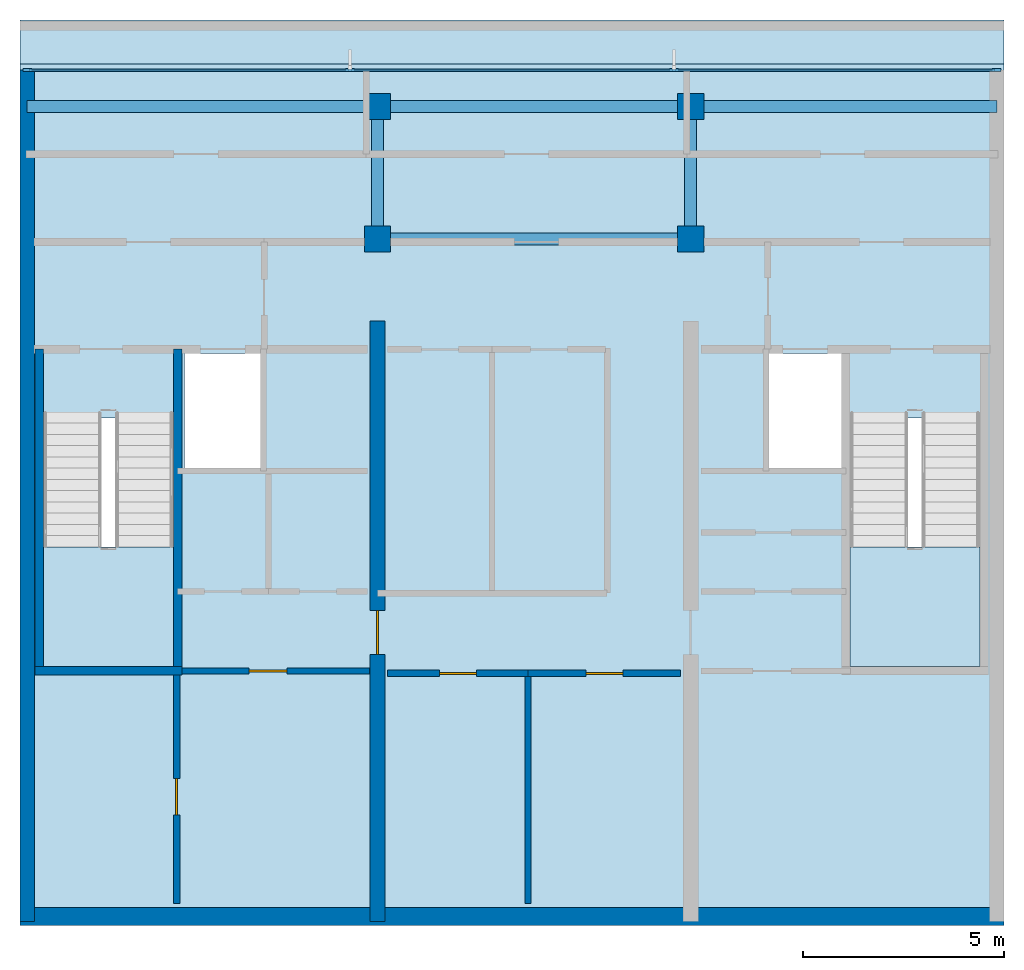
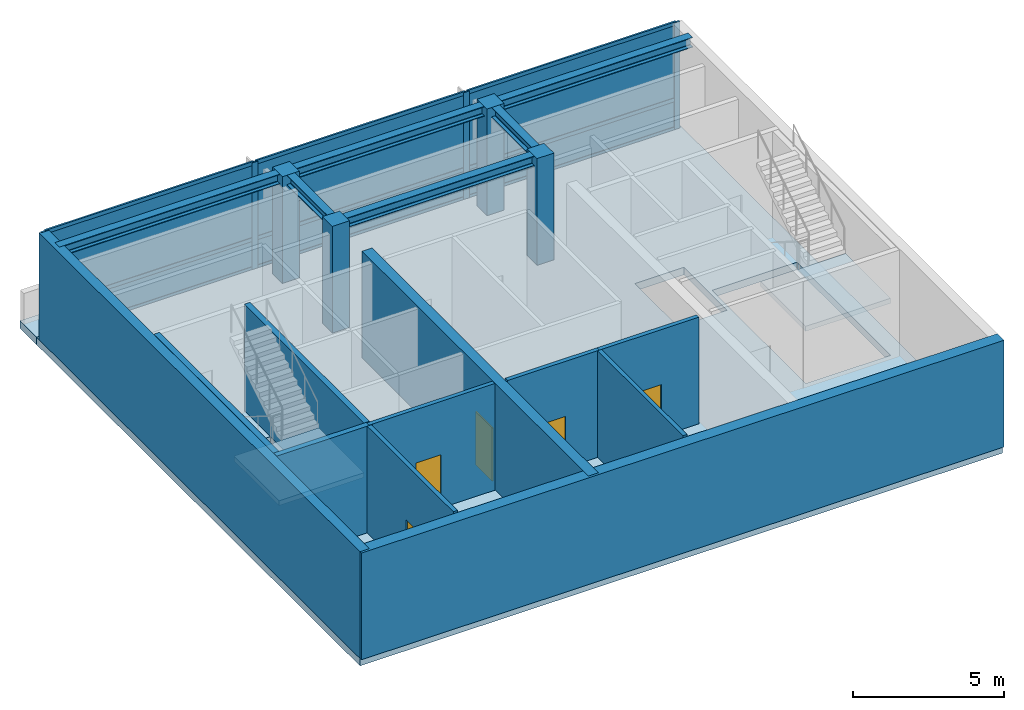
# One storey, part 1 of 4: 13 members, 11 walls, 6 beams, 6 plates, 5 doors, 4 columns, 4 slabs, 5 openings, 3 elements without a shape of their own.
"""IFC4 building model written with IfcOpenShell, lengths in metres."""

from ifc_helpers import new_model, si_unit, direction, frame, frame_2d, origin, origin_2d, place, context, subcontext, project, spatial, polyline, rectangle, i_section, outline, extrude, material, layer, layer_set, material_profile, profile_set, type_object, element, fill, aggregate, save


model = new_model("IFC4")

# Units and contexts
model_context = context("Model", 3, precision=1e-05, world=origin(), true_north=direction((0.0, 1.0)))
body_context = subcontext(model_context, "Body", "Model", "MODEL_VIEW")
ifc_project = project(units=[si_unit("LENGTHUNIT", "METRE"), si_unit("AREAUNIT", "SQUARE_METRE"), si_unit("VOLUMEUNIT", "CUBIC_METRE"), si_unit("PLANEANGLEUNIT", "RADIAN"), si_unit("MASSUNIT", "GRAM", prefix="KILO")], contexts=[model_context])

# Site, building, storey
site_placement = place(None, origin())
site = spatial("IfcSite", under=ifc_project, at=site_placement, CompositionType="ELEMENT")
building_placement = place(site_placement, origin())
building = spatial("IfcBuilding", under=site, at=building_placement, Name="Qalmaran Belvedere Hotel", CompositionType="ELEMENT")
storey_placement = place(building_placement, frame((0.0, 0.0, 312.5)))
storey = spatial("IfcBuildingStorey", under=building, at=storey_placement, Name="C04", CompositionType="ELEMENT", Elevation=312.5)

# Columns
ifc_material_1 = material(Name="Concrete C50/60", Category="concrete")
ifc_material_profile_1 = material_profile(ifc_material_1, rectangle(XDim=0.64990234375, YDim=0.64990234375, at=origin_2d()), Name="CC650X650")
ifc_profile_set_1 = profile_set([ifc_material_profile_1], Name="Concrete C50/60")
column_type = type_object("IfcColumnType", Name="COL-CRN-CC650", PredefinedType="COLUMN", material=ifc_profile_set_1)
for number, where, z_axis, x_axis, name in (
    (1, (29.199951171875, 20.5, -0.300048828125), (0.0, 0.0, 1.0), (1.0, 0.0, 0.0), "C04 Column C5D"),
    (2, (37.0, 20.5, -0.300048828125), (0.0, 0.0, 1.0), (1.0, 0.0, 0.0), "C04 Column C6D"),
    (3, (29.199951171875, 23.800048828125, -0.300048828125), (0.0, 0.0, 1.0), (1.0, 0.0, 0.0), "C04 Column CN2"),
    (4, (37.0, 23.800048828125, -0.300048828125), (0.0, 0.0, 1.0), (1.0, 0.0, 0.0), "C04 Column CN3"),
):
    element("IfcColumn", number, at=place(storey_placement, frame(where, z_axis=z_axis, x_axis=x_axis)), inside=storey, type_object=column_type, Name=name, PredefinedType="COLUMN", context=body_context, shape_type="SweptSolid", body=[
        extrude(rectangle(XDim=0.64990234375, YDim=0.64990234375, at=origin_2d()), origin(), (0.0, 0.0, 1.0), 4.60009765625),
    ])

# Beams
ifc_material_2 = material(Name="Steel S355JR", Category="steel")
ifc_material_profile_2 = material_profile(ifc_material_2, i_section(OverallWidth=0.300048828125, OverallDepth=0.39990234375, WebThickness=0.013427734375, FlangeThickness=0.02392578125, FilletRadius=0.027099609375, at=origin_2d()), Name="HEB400")
ifc_profile_set_2 = profile_set([ifc_material_profile_2], Name="Steel S355JR")
beam_type = type_object("IfcBeamType", Name="BM-CRN-HEB400", PredefinedType="BEAM", material=ifc_profile_set_2)
beam_1_placement = place(storey_placement, frame((29.199951171875, 20.5, 4.10009765625), z_axis=(1.0, 0.0, 0.0), x_axis=(0.0, 1.0, 0.0)))
element("IfcBeam", 5, at=beam_1_placement, inside=storey, type_object=beam_type, Name="C04 Crown Frame Beam X01", PredefinedType="BEAM", context=body_context, shape_type="SweptSolid", body=[
    extrude(i_section(OverallWidth=0.300048828125, OverallDepth=0.39990234375, WebThickness=0.013427734375, FlangeThickness=0.02392578125, FilletRadius=0.027099609375, at=origin_2d()), origin(), (0.0, 0.0, 1.0), 7.800048828125),
])
beam_2_placement = place(storey_placement, frame((20.47998046875, 23.800048828125, 4.10009765625), z_axis=(1.0, 0.0, 0.0), x_axis=(0.0, 1.0, 0.0)))
element("IfcBeam", 6, at=beam_2_placement, inside=storey, type_object=beam_type, Name="C04 Crown Frame Beam X02", PredefinedType="BEAM", context=body_context, shape_type="SweptSolid", body=[
    extrude(i_section(OverallWidth=0.300048828125, OverallDepth=0.39990234375, WebThickness=0.013427734375, FlangeThickness=0.02392578125, FilletRadius=0.027099609375, at=origin_2d()), origin(), (0.0, 0.0, 1.0), 8.719970703125),
])
beam_3_placement = place(storey_placement, frame((29.199951171875, 23.800048828125, 4.10009765625), z_axis=(1.0, 0.0, 0.0), x_axis=(0.0, 1.0, 0.0)))
element("IfcBeam", 7, at=beam_3_placement, inside=storey, type_object=beam_type, Name="C04 Crown Frame Beam X03", PredefinedType="BEAM", context=body_context, shape_type="SweptSolid", body=[
    extrude(i_section(OverallWidth=0.300048828125, OverallDepth=0.39990234375, WebThickness=0.013427734375, FlangeThickness=0.02392578125, FilletRadius=0.027099609375, at=origin_2d()), origin(), (0.0, 0.0, 1.0), 7.800048828125),
])
beam_4_placement = place(storey_placement, frame((37.0, 23.800048828125, 4.10009765625), z_axis=(1.0, 0.0, 0.0), x_axis=(0.0, 1.0, 0.0)))
element("IfcBeam", 8, at=beam_4_placement, inside=storey, type_object=beam_type, Name="C04 Crown Frame Beam X04", PredefinedType="BEAM", context=body_context, shape_type="SweptSolid", body=[
    extrude(i_section(OverallWidth=0.300048828125, OverallDepth=0.39990234375, WebThickness=0.013427734375, FlangeThickness=0.02392578125, FilletRadius=0.027099609375, at=origin_2d()), origin(), (0.0, 0.0, 1.0), 7.6201171875),
])
for number, where, z_axis, x_axis, name in (
    (9, (29.199951171875, 20.5, 4.10009765625), (0.0, 1.0, 0.0), (-1.0, 0.0, 0.0), "C04 Crown Frame Beam Y05"),
    (10, (37.0, 20.5, 4.10009765625), (0.0, 1.0, 0.0), (-1.0, 0.0, 0.0), "C04 Crown Frame Beam Y06"),
):
    element("IfcBeam", number, at=place(storey_placement, frame(where, z_axis=z_axis, x_axis=x_axis)), inside=storey, type_object=beam_type, Name=name, PredefinedType="BEAM", context=body_context, shape_type="SweptSolid", body=[
        extrude(i_section(OverallWidth=0.300048828125, OverallDepth=0.39990234375, WebThickness=0.013427734375, FlangeThickness=0.02392578125, FilletRadius=0.027099609375, at=origin_2d()), origin(), (0.0, 0.0, 1.0), 3.300048828125),
    ])

# Curtain wall, members, plates
ifc_material_3 = material(Name="Anodised Bronze Aluminium", Category="aluminium")
ifc_layer_1 = layer(ifc_material_3, 0.205078125, Name="Anodised Bronze Aluminium")
ifc_layer_set_1 = layer_set([ifc_layer_1], Name="Anodised Bronze Aluminium")
curtain_wall_type = type_object("IfcCurtainWallType", Name="CW7-CROWN-BELVEDERE", PredefinedType="NOTDEFINED", material=ifc_layer_set_1)
curtain_wall_placement = place(storey_placement, origin())
curtain_wall = element("IfcCurtainWall", 11, at=curtain_wall_placement, inside=storey, type_object=curtain_wall_type, Name="C04 Curtain Wall CW7", PredefinedType="NOTDEFINED")
ifc_material_profile_3 = material_profile(ifc_material_3, rectangle(XDim=0.074951171875, YDim=0.219970703125, at=origin_2d()), Name="CWM75X220")
ifc_profile_set_3 = profile_set([ifc_material_profile_3], Name="Anodised Bronze Aluminium")
member_type_1 = type_object("IfcMemberType", Name="CWM-75X220", PredefinedType="MULLION", material=ifc_profile_set_3)
member_1_placement = place(storey_placement, frame((44.612548828125, 24.699951171875, 0.0), z_axis=(0.0, 0.0, 1.0), x_axis=(0.0, -1.0, 0.0)))
member_1 = element("IfcMember", 12, at=member_1_placement, type_object=member_type_1, Name="CW7 mullion 1", PredefinedType="MULLION", context=body_context, shape_type="SweptSolid", body=[
    extrude(rectangle(XDim=0.074951171875, YDim=0.219970703125, at=origin_2d()), origin(), (0.0, 0.0, 1.0), 4.300048828125),
])
member_2_placement = place(storey_placement, frame((36.583251953125, 24.699951171875, 0.0), z_axis=(0.0, 0.0, 1.0), x_axis=(0.0, -1.0, 0.0)))
member_2 = element("IfcMember", 13, at=member_2_placement, type_object=member_type_1, Name="CW7 mullion 2", PredefinedType="MULLION", context=body_context, shape_type="SweptSolid", body=[
    extrude(rectangle(XDim=0.074951171875, YDim=0.219970703125, at=origin_2d()), origin(), (0.0, 0.0, 1.0), 4.300048828125),
])
member_3_placement = place(storey_placement, frame((28.5166015625, 24.699951171875, 0.0), z_axis=(0.0, 0.0, 1.0), x_axis=(0.0, -1.0, 0.0)))
member_3 = element("IfcMember", 14, at=member_3_placement, type_object=member_type_1, Name="CW7 mullion 3", PredefinedType="MULLION", context=body_context, shape_type="SweptSolid", body=[
    extrude(rectangle(XDim=0.074951171875, YDim=0.219970703125, at=origin_2d()), origin(), (0.0, 0.0, 1.0), 4.300048828125),
])
member_4_placement = place(storey_placement, frame((20.487548828125, 24.699951171875, 0.0), z_axis=(0.0, 0.0, 1.0), x_axis=(0.0, -1.0, 0.0)))
member_4 = element("IfcMember", 15, at=member_4_placement, type_object=member_type_1, Name="CW7 mullion 4", PredefinedType="MULLION", context=body_context, shape_type="SweptSolid", body=[
    extrude(rectangle(XDim=0.074951171875, YDim=0.219970703125, at=origin_2d()), origin(), (0.0, 0.0, 1.0), 4.300048828125),
])
ifc_material_profile_4 = material_profile(ifc_material_3, rectangle(XDim=0.070068359375, YDim=0.14990234375, at=origin_2d()), Name="CWT70X150")
ifc_profile_set_4 = profile_set([ifc_material_profile_4], Name="Anodised Bronze Aluminium")
member_type_2 = type_object("IfcMemberType", Name="CWT-70X150", PredefinedType="USERDEFINED", material=ifc_profile_set_4)
member_5_placement = place(storey_placement, frame((44.574951171875, 24.699951171875, 0.034912109375), z_axis=(-1.0, 0.0, 0.0), x_axis=(0.0, -1.0, 0.0)))
member_5 = element("IfcMember", 16, at=member_5_placement, type_object=member_type_2, Name="CW7 transom 1.1", ObjectType="TRANSOM", PredefinedType="USERDEFINED", context=body_context, shape_type="SweptSolid", body=[
    extrude(rectangle(XDim=0.070068359375, YDim=0.14990234375, at=origin_2d()), origin(), (0.0, 0.0, 1.0), 7.9541015625),
])
member_6_placement = place(storey_placement, frame((44.574951171875, 24.699951171875, 1.2041015625), z_axis=(-1.0, 0.0, 0.0), x_axis=(0.0, -1.0, 0.0)))
member_6 = element("IfcMember", 17, at=member_6_placement, type_object=member_type_2, Name="CW7 transom 1.2", ObjectType="TRANSOM", PredefinedType="USERDEFINED", context=body_context, shape_type="SweptSolid", body=[
    extrude(rectangle(XDim=0.070068359375, YDim=0.14990234375, at=origin_2d()), origin(), (0.0, 0.0, 1.0), 7.9541015625),
])
member_7_placement = place(storey_placement, frame((44.574951171875, 24.699951171875, 4.264892578125), z_axis=(-1.0, 0.0, 0.0), x_axis=(0.0, -1.0, 0.0)))
member_7 = element("IfcMember", 18, at=member_7_placement, type_object=member_type_2, Name="CW7 transom 1.3", ObjectType="TRANSOM", PredefinedType="USERDEFINED", context=body_context, shape_type="SweptSolid", body=[
    extrude(rectangle(XDim=0.070068359375, YDim=0.14990234375, at=origin_2d()), origin(), (0.0, 0.0, 1.0), 7.9541015625),
])
member_8_placement = place(storey_placement, frame((36.5458984375, 24.699951171875, 0.034912109375), z_axis=(-1.0, 0.0, 0.0), x_axis=(0.0, -1.0, 0.0)))
member_8 = element("IfcMember", 19, at=member_8_placement, type_object=member_type_2, Name="CW7 transom 2.1", ObjectType="TRANSOM", PredefinedType="USERDEFINED", context=body_context, shape_type="SweptSolid", body=[
    extrude(rectangle(XDim=0.070068359375, YDim=0.14990234375, at=origin_2d()), origin(), (0.0, 0.0, 1.0), 7.99169921875),
])
member_9_placement = place(storey_placement, frame((36.5458984375, 24.699951171875, 1.2041015625), z_axis=(-1.0, 0.0, 0.0), x_axis=(0.0, -1.0, 0.0)))
member_9 = element("IfcMember", 20, at=member_9_placement, type_object=member_type_2, Name="CW7 transom 2.2", ObjectType="TRANSOM", PredefinedType="USERDEFINED", context=body_context, shape_type="SweptSolid", body=[
    extrude(rectangle(XDim=0.070068359375, YDim=0.14990234375, at=origin_2d()), origin(), (0.0, 0.0, 1.0), 7.99169921875),
])
member_10_placement = place(storey_placement, frame((36.5458984375, 24.699951171875, 4.264892578125), z_axis=(-1.0, 0.0, 0.0), x_axis=(0.0, -1.0, 0.0)))
member_10 = element("IfcMember", 21, at=member_10_placement, type_object=member_type_2, Name="CW7 transom 2.3", ObjectType="TRANSOM", PredefinedType="USERDEFINED", context=body_context, shape_type="SweptSolid", body=[
    extrude(rectangle(XDim=0.070068359375, YDim=0.14990234375, at=origin_2d()), origin(), (0.0, 0.0, 1.0), 7.99169921875),
])
member_11_placement = place(storey_placement, frame((28.479248046875, 24.699951171875, 0.034912109375), z_axis=(-1.0, 0.0, 0.0), x_axis=(0.0, -1.0, 0.0)))
member_11 = element("IfcMember", 22, at=member_11_placement, type_object=member_type_2, Name="CW7 transom 3.1", ObjectType="TRANSOM", PredefinedType="USERDEFINED", context=body_context, shape_type="SweptSolid", body=[
    extrude(rectangle(XDim=0.070068359375, YDim=0.14990234375, at=origin_2d()), origin(), (0.0, 0.0, 1.0), 7.954345703125),
])
member_12_placement = place(storey_placement, frame((28.479248046875, 24.699951171875, 1.2041015625), z_axis=(-1.0, 0.0, 0.0), x_axis=(0.0, -1.0, 0.0)))
member_12 = element("IfcMember", 23, at=member_12_placement, type_object=member_type_2, Name="CW7 transom 3.2", ObjectType="TRANSOM", PredefinedType="USERDEFINED", context=body_context, shape_type="SweptSolid", body=[
    extrude(rectangle(XDim=0.070068359375, YDim=0.14990234375, at=origin_2d()), origin(), (0.0, 0.0, 1.0), 7.954345703125),
])
member_13_placement = place(storey_placement, frame((28.479248046875, 24.699951171875, 4.264892578125), z_axis=(-1.0, 0.0, 0.0), x_axis=(0.0, -1.0, 0.0)))
member_13 = element("IfcMember", 24, at=member_13_placement, type_object=member_type_2, Name="CW7 transom 3.3", ObjectType="TRANSOM", PredefinedType="USERDEFINED", context=body_context, shape_type="SweptSolid", body=[
    extrude(rectangle(XDim=0.070068359375, YDim=0.14990234375, at=origin_2d()), origin(), (0.0, 0.0, 1.0), 7.954345703125),
])
ifc_material_4 = material(Name="Anodised Bronze Spandrel Panel")
ifc_layer_2 = layer(ifc_material_4, 0.035888671875, Name="Anodised Bronze Spandrel Panel")
ifc_layer_set_2 = layer_set([ifc_layer_2], Name="Anodised Bronze Spandrel Panel")
plate_type_1 = type_object("IfcPlateType", Name="CWP-SPANDREL-36", PredefinedType="CURTAIN_PANEL", material=ifc_layer_set_2)
plate_1_placement = place(storey_placement, frame((40.597900390625, 24.699951171875, 0.06982421875), z_axis=(0.0, 0.0, 1.0), x_axis=(-1.0, 0.0, 0.0)))
plate_1 = element("IfcPlate", 25, at=plate_1_placement, type_object=plate_type_1, Name="CW7 panel 1.1", PredefinedType="CURTAIN_PANEL", context=body_context, shape_type="SweptSolid", body=[
    extrude(rectangle(XDim=7.9541015625, YDim=0.035888671875, at=origin_2d()), origin(), (0.0, 0.0, 1.0), 1.09912109375),
])
plate_2_placement = place(storey_placement, frame((32.550048828125, 24.699951171875, 0.06982421875), z_axis=(0.0, 0.0, 1.0), x_axis=(-1.0, 0.0, 0.0)))
plate_2 = element("IfcPlate", 26, at=plate_2_placement, type_object=plate_type_1, Name="CW7 panel 2.1", PredefinedType="CURTAIN_PANEL", context=body_context, shape_type="SweptSolid", body=[
    extrude(rectangle(XDim=7.99169921875, YDim=0.035888671875, at=origin_2d()), origin(), (0.0, 0.0, 1.0), 1.09912109375),
])
plate_3_placement = place(storey_placement, frame((24.502197265625, 24.699951171875, 0.06982421875), z_axis=(0.0, 0.0, 1.0), x_axis=(-1.0, 0.0, 0.0)))
plate_3 = element("IfcPlate", 27, at=plate_3_placement, type_object=plate_type_1, Name="CW7 panel 3.1", PredefinedType="CURTAIN_PANEL", context=body_context, shape_type="SweptSolid", body=[
    extrude(rectangle(XDim=7.9541015625, YDim=0.035888671875, at=origin_2d()), origin(), (0.0, 0.0, 1.0), 1.09912109375),
])
ifc_material_5 = material(Name="Solar-Control Double Glazing", Category="glass")
ifc_layer_3 = layer(ifc_material_5, 0.028076171875, Name="Solar-Control Double Glazing")
ifc_layer_set_3 = layer_set([ifc_layer_3], Name="Solar-Control Double Glazing")
plate_type_2 = type_object("IfcPlateType", Name="CWP-VISION-28", PredefinedType="CURTAIN_PANEL", material=ifc_layer_set_3)
plate_4_placement = place(storey_placement, frame((40.597900390625, 24.699951171875, 1.2392578125), z_axis=(0.0, 0.0, 1.0), x_axis=(-1.0, 0.0, 0.0)))
plate_4 = element("IfcPlate", 28, at=plate_4_placement, type_object=plate_type_2, Name="CW7 panel 1.2", PredefinedType="CURTAIN_PANEL", context=body_context, shape_type="SweptSolid", body=[
    extrude(rectangle(XDim=7.9541015625, YDim=0.028076171875, at=origin_2d()), origin(), (0.0, 0.0, 1.0), 2.990966796875),
])
plate_5_placement = place(storey_placement, frame((32.550048828125, 24.699951171875, 1.2392578125), z_axis=(0.0, 0.0, 1.0), x_axis=(-1.0, 0.0, 0.0)))
plate_5 = element("IfcPlate", 29, at=plate_5_placement, type_object=plate_type_2, Name="CW7 panel 2.2", PredefinedType="CURTAIN_PANEL", context=body_context, shape_type="SweptSolid", body=[
    extrude(rectangle(XDim=7.99169921875, YDim=0.028076171875, at=origin_2d()), origin(), (0.0, 0.0, 1.0), 2.990966796875),
])
plate_6_placement = place(storey_placement, frame((24.502197265625, 24.699951171875, 1.2392578125), z_axis=(0.0, 0.0, 1.0), x_axis=(-1.0, 0.0, 0.0)))
plate_6 = element("IfcPlate", 30, at=plate_6_placement, type_object=plate_type_2, Name="CW7 panel 3.2", PredefinedType="CURTAIN_PANEL", context=body_context, shape_type="SweptSolid", body=[
    extrude(rectangle(XDim=7.9541015625, YDim=0.028076171875, at=origin_2d()), origin(), (0.0, 0.0, 1.0), 2.990966796875),
])
aggregate(curtain_wall, [member_1, member_2, member_3, member_4, member_5, member_6, member_7, plate_1, plate_4, member_8, member_9, member_10, plate_2, plate_5, member_11, member_12, member_13, plate_3, plate_6])

# Slabs
ifc_material_6 = material(Name="Concrete C40/50", Category="concrete")
ifc_layer_4 = layer(ifc_material_6, 0.300048828125, Name="Concrete C40/50")
ifc_layer_set_4 = layer_set([ifc_layer_4], Name="Concrete C40/50")
slab_type_1 = type_object("IfcSlabType", Name="SLB-CRN-300", PredefinedType="FLOOR", material=ifc_layer_set_4)
slab_1_placement = place(storey_placement, frame((0.0, 0.0, -0.300048828125)))
element("IfcSlab", 31, at=slab_1_placement, inside=storey, type_object=slab_type_1, Name="C04 Structural Floor Slab", PredefinedType="FLOOR", context=body_context, shape_type="SweptSolid", body=[
    extrude(outline(polyline([(20.300048828125, 3.5), (44.800048828125, 3.5), (44.800048828125, 24.85009765625), (20.300048828125, 24.85009765625), (20.300048828125, 3.5)]), holes=[polyline([(20.8798828125, 9.85009765625), (24.1201171875, 9.85009765625), (24.1201171875, 16.0400390625), (20.8798828125, 16.0400390625), (20.8798828125, 9.85009765625)]), polyline([(40.9599609375, 9.85009765625), (44.199951171875, 9.85009765625), (44.199951171875, 16.0400390625), (40.9599609375, 16.0400390625), (40.9599609375, 9.85009765625)]), polyline([(24.39990234375, 14.800048828125), (26.300048828125, 14.800048828125), (26.300048828125, 17.64990234375), (24.39990234375, 17.64990234375), (24.39990234375, 14.800048828125)]), polyline([(38.949951171875, 14.800048828125), (40.820068359375, 14.800048828125), (40.820068359375, 17.64990234375), (38.949951171875, 17.64990234375), (38.949951171875, 14.800048828125)])]), origin(), (0.0, 0.0, 1.0), 0.300048828125),
])
ifc_layer_5 = layer(ifc_material_6, 0.300048828125, Name="Concrete C40/50")
ifc_layer_set_5 = layer_set([ifc_layer_5], Name="Concrete C40/50")
slab_type_2 = type_object("IfcSlabType", Name="SLB-CROOF-310", PredefinedType="ROOF", material=ifc_layer_set_5)
slab_2_placement = place(storey_placement, frame((0.0, 0.0, -0.300048828125)))
element("IfcSlab", 32, at=slab_2_placement, inside=storey, type_object=slab_type_2, Name="C04 Stepped Roof Cap 1", PredefinedType="ROOF", context=body_context, shape_type="SweptSolid", body=[
    extrude(outline(polyline([(20.300048828125, 25.949951171875), (44.800048828125, 25.949951171875), (44.800048828125, 24.85009765625), (20.300048828125, 24.85009765625), (20.300048828125, 25.949951171875)])), origin(), (0.0, 0.0, 1.0), 0.300048828125),
])

# Stair, slab
stair_type_1 = type_object("IfcStairType", Name="STR-ST-1-1450-R1769", PredefinedType="HALF_TURN_STAIR", material=ifc_material_6)
stair_1_placement = place(storey_placement, origin())
stair_1 = element("IfcStair", 33, at=stair_1_placement, inside=storey, type_object=stair_type_1, Name="C04 West Core Exit Stair ST-1", PredefinedType="HALF_TURN_STAIR")
ifc_layer_6 = layer(ifc_material_6, 0.199951171875, Name="Concrete C40/50")
ifc_layer_set_6 = layer_set([ifc_layer_6], Name="Concrete C40/50")
slab_type_3 = type_object("IfcSlabType", Name="SLB-STAIR-LANDING-200", PredefinedType="LANDING", material=ifc_layer_set_6)
slab_3_placement = place(storey_placement, frame((0.0, 0.0, 2.10009765625)))
slab_3 = element("IfcSlab", 34, at=slab_3_placement, type_object=slab_type_3, Name="ST-1 landing 1", PredefinedType="LANDING", context=body_context, shape_type="SweptSolid", body=[
    extrude(outline(polyline([(20.8798828125, 12.830078125), (20.8798828125, 9.85009765625), (24.1201171875, 9.85009765625), (24.1201171875, 12.830078125), (20.8798828125, 12.830078125)])), origin(), (0.0, 0.0, 1.0), 0.199951171875),
])
aggregate(stair_1, [slab_3])

stair_type_2 = type_object("IfcStairType", Name="STR-ST-2-1450-R1769", PredefinedType="HALF_TURN_STAIR", material=ifc_material_6)
stair_2_placement = place(storey_placement, origin())
stair_2 = element("IfcStair", 35, at=stair_2_placement, inside=storey, type_object=stair_type_2, Name="C04 East Core Exit Stair ST-2", PredefinedType="HALF_TURN_STAIR")
slab_4_placement = place(storey_placement, frame((0.0, 0.0, 2.10009765625)))
slab_4 = element("IfcSlab", 36, at=slab_4_placement, type_object=slab_type_3, Name="ST-2 landing 1", PredefinedType="LANDING", context=body_context, shape_type="SweptSolid", body=[
    extrude(outline(polyline([(40.9599609375, 12.830078125), (40.9599609375, 9.85009765625), (44.199951171875, 9.85009765625), (44.199951171875, 12.830078125), (40.9599609375, 12.830078125)])), origin(), (0.0, 0.0, 1.0), 0.199951171875),
])
aggregate(stair_2, [slab_4])

# Wall, opening, door
ifc_layer_7 = layer(ifc_material_1, 0.3798828125, Name="Concrete C50/60")
ifc_layer_set_7 = layer_set([ifc_layer_7], Name="Concrete C50/60")
wall_type_1 = type_object("IfcWallType", Name="WL-CORE-380-C50", PredefinedType="SHEAR", material=ifc_layer_set_7)
wall_1_placement = place(storey_placement, frame((29.199951171875, 3.5, 0.0), z_axis=(0.0, 0.0, 1.0), x_axis=(0.0, 1.0, 0.0)))
wall_1 = element("IfcWall", 37, at=wall_1_placement, inside=storey, type_object=wall_type_1, Name="C04 Core West Spine Shear Wall", PredefinedType="SHEAR", context=body_context, shape_type="SweptSolid", body=[
    extrude(rectangle(XDim=14.949951171875, YDim=0.3798828125, at=frame_2d((7.47509765625, 0.0))), origin(), (0.0, 0.0, 1.0), 4.300048828125),
])
opening_1_placement = place(wall_1_placement, frame((7.75, 0.0, 0.0), z_axis=(0.0, 0.0, 1.0), x_axis=(-1.0, 0.0, 0.0)))
opening_1 = element("IfcOpeningElement", 38, at=opening_1_placement, cuts=wall_1, Name="Opening FD90", PredefinedType="OPENING", context=body_context, shape_type="SweptSolid", body=[
    extrude(rectangle(XDim=1.10009765625, YDim=2.14990234375, at=frame_2d((0.550048828125, 1.074951171875))), frame((0.0, 0.199951171875, 0.0), z_axis=(0.0, -1.0, 0.0), x_axis=(1.0, 0.0, 0.0)), (0.0, 0.0, 1.0), 0.39990234375),
])
door_type_1 = type_object("IfcDoorType", Name="DR-FD90-1100X2150", OperationType="NOTDEFINED", PredefinedType="DOOR", material=ifc_material_2)
door_1_placement = place(opening_1_placement, origin())
door_1 = element("IfcDoor", 39, at=door_1_placement, inside=storey, type_object=door_type_1, Name="C04 Core West Cross-Lobby Door", OperationType="SINGLE_SWING_RIGHT", OverallHeight=2.14990234375, OverallWidth=1.10009765625, PredefinedType="DOOR", context=body_context, shape_type="SweptSolid", body=[
    extrude(rectangle(XDim=1.10009765625, YDim=2.14990234375, at=frame_2d((0.550048828125, 1.074951171875))), frame((0.0, 0.02490234375, 0.0), z_axis=(0.0, -1.0, 0.0), x_axis=(1.0, 0.0, 0.0)), (0.0, 0.0, 1.0), 0.050048828125),
])
fill(opening_1, door_1)

# Walls
ifc_layer_8 = layer(ifc_material_1, 0.43994140625, Name="Concrete C50/60")
ifc_layer_set_8 = layer_set([ifc_layer_8], Name="Concrete C50/60")
wall_type_2 = type_object("IfcWallType", Name="WL-CORES-440-EXT", PredefinedType="SHEAR", material=ifc_layer_set_8)
wall_2_placement = place(storey_placement, frame((20.300048828125, 3.6298828125, 0.0), z_axis=(0.0, 0.0, 1.0), x_axis=(1.0, 0.0, 0.0)))
element("IfcWall", 40, at=wall_2_placement, inside=storey, type_object=wall_type_2, Name="C04 South Core Shear Wall", PredefinedType="SHEAR", context=body_context, shape_type="SweptSolid", body=[
    extrude(rectangle(XDim=24.5, YDim=0.43994140625, at=frame_2d((12.25, 0.0))), origin(), (0.0, 0.0, 1.0), 4.300048828125),
])
ifc_layer_9 = layer(ifc_material_1, 0.360107421875, Name="Concrete C50/60")
ifc_layer_set_9 = layer_set([ifc_layer_9], Name="Concrete C50/60")
wall_type_3 = type_object("IfcWallType", Name="WL-COREWE-360-EXT", PredefinedType="SHEAR", material=ifc_layer_set_9)
wall_3_placement = place(storey_placement, frame((20.47998046875, 3.5, 0.0), z_axis=(0.0, 0.0, 1.0), x_axis=(0.0, 1.0, 0.0)))
element("IfcWall", 41, at=wall_3_placement, inside=storey, type_object=wall_type_3, Name="C04 West Core Shear Wall", PredefinedType="SHEAR", context=body_context, shape_type="SweptSolid", body=[
    extrude(rectangle(XDim=21.199951171875, YDim=0.360107421875, at=frame_2d((10.60009765625, 0.0))), origin(), (0.0, 0.0, 1.0), 4.300048828125),
])
ifc_material_7 = material(Name="Gypsum Stud Partition")
ifc_layer_10 = layer(ifc_material_7, 0.14990234375, Name="Gypsum Stud Partition")
ifc_layer_set_10 = layer_set([ifc_layer_10], Name="Gypsum Stud Partition")
wall_type_4 = type_object("IfcWallType", Name="WL-INT-150-EI60", PredefinedType="PARTITIONING", material=ifc_layer_set_10)
wall_4_placement = place(storey_placement, frame((32.9541015625, 3.949951171875, 0.0), z_axis=(0.0, 0.0, 1.0), x_axis=(0.0, 1.0, 0.0)))
element("IfcWall", 42, at=wall_4_placement, inside=storey, type_object=wall_type_4, Name="C04 Partition WL-C04-KPLV1", PredefinedType="PARTITIONING", context=body_context, shape_type="SweptSolid", body=[
    extrude(rectangle(XDim=5.72998046875, YDim=0.14990234375, at=frame_2d((2.864990234375, 0.0))), origin(), (0.0, 0.0, 1.0), 4.300048828125),
])

# Wall, opening, door
ifc_layer_11 = layer(ifc_material_7, 0.159912109375, Name="Gypsum Stud Partition")
ifc_layer_set_11 = layer_set([ifc_layer_11], Name="Gypsum Stud Partition")
wall_type_5 = type_object("IfcWallType", Name="WL-INT-160-EI120", PredefinedType="PARTITIONING", material=ifc_layer_set_11)
wall_5_placement = place(storey_placement, frame((24.199951171875, 3.949951171875, 0.0), z_axis=(0.0, 0.0, 1.0), x_axis=(0.0, 1.0, 0.0)))
wall_5 = element("IfcWall", 43, at=wall_5_placement, inside=storey, type_object=wall_type_5, Name="C04 Partition WL-PONV-C04", PredefinedType="PARTITIONING", context=body_context, shape_type="SweptSolid", body=[
    extrude(rectangle(XDim=5.7900390625, YDim=0.159912109375, at=frame_2d((2.89501953125, 0.0))), origin(), (0.0, 0.0, 1.0), 4.300048828125),
])
opening_2_placement = place(wall_5_placement, frame((2.199951171875, 0.0, 0.0)))
opening_2 = element("IfcOpeningElement", 44, at=opening_2_placement, cuts=wall_5, Name="Opening FD60S1", PredefinedType="OPENING", context=body_context, shape_type="SweptSolid", body=[
    extrude(rectangle(XDim=0.919921875, YDim=2.080078125, at=frame_2d((0.4599609375, 1.0400390625))), frame((0.0, 0.08984375, 0.0), z_axis=(0.0, -1.0, 0.0), x_axis=(1.0, 0.0, 0.0)), (0.0, 0.0, 1.0), 0.179931640625),
])
ifc_material_8 = material(Name="Engineered Oak Veneer")
door_type_2 = type_object("IfcDoorType", Name="DR-FD60S-920X2080", OperationType="NOTDEFINED", PredefinedType="DOOR", material=ifc_material_8)
door_2_placement = place(opening_2_placement, origin())
door_2 = element("IfcDoor", 45, at=door_2_placement, inside=storey, type_object=door_type_2, Name="C04 Machine Plant Inner Door", OperationType="SINGLE_SWING_LEFT", OverallHeight=2.080078125, OverallWidth=0.919921875, PredefinedType="DOOR", context=body_context, shape_type="SweptSolid", body=[
    extrude(rectangle(XDim=0.919921875, YDim=2.080078125, at=frame_2d((0.4599609375, 1.0400390625))), frame((0.0, 0.02490234375, 0.0), z_axis=(0.0, -1.0, 0.0), x_axis=(1.0, 0.0, 0.0)), (0.0, 0.0, 1.0), 0.050048828125),
])
fill(opening_2, door_2)

wall_6_placement = place(storey_placement, frame((24.199951171875, 9.739990234375, 0.0), z_axis=(0.0, 0.0, 1.0), x_axis=(1.0, 0.0, 0.0)))
wall_6 = element("IfcWall", 46, at=wall_6_placement, inside=storey, type_object=wall_type_5, Name="C04 Partition WL-PONN-C04", PredefinedType="PARTITIONING", context=body_context, shape_type="SweptSolid", body=[
    extrude(rectangle(XDim=4.800048828125, YDim=0.159912109375, at=frame_2d((2.39990234375, 0.0))), origin(), (0.0, 0.0, 1.0), 4.300048828125),
])
opening_3_placement = place(wall_6_placement, frame((2.75, 0.0, 0.0), z_axis=(0.0, 0.0, 1.0), x_axis=(-1.0, 0.0, 0.0)))
opening_3 = element("IfcOpeningElement", 47, at=opening_3_placement, cuts=wall_6, Name="Opening FD60", PredefinedType="OPENING", context=body_context, shape_type="SweptSolid", body=[
    extrude(rectangle(XDim=0.949951171875, YDim=2.14990234375, at=frame_2d((0.47509765625, 1.074951171875))), frame((0.0, 0.08984375, 0.0), z_axis=(0.0, -1.0, 0.0), x_axis=(1.0, 0.0, 0.0)), (0.0, 0.0, 1.0), 0.179931640625),
])
door_type_3 = type_object("IfcDoorType", Name="DR-FD60-950X2150", OperationType="NOTDEFINED", PredefinedType="DOOR", material=ifc_material_8)
door_3_placement = place(opening_3_placement, origin())
door_3 = element("IfcDoor", 48, at=door_3_placement, inside=storey, type_object=door_type_3, Name="C04 Buffer Plant Passage Door", OperationType="SINGLE_SWING_RIGHT", OverallHeight=2.14990234375, OverallWidth=0.949951171875, PredefinedType="DOOR", context=body_context, shape_type="SweptSolid", body=[
    extrude(rectangle(XDim=0.949951171875, YDim=2.14990234375, at=frame_2d((0.47509765625, 1.074951171875))), frame((0.0, 0.02490234375, 0.0), z_axis=(0.0, -1.0, 0.0), x_axis=(1.0, 0.0, 0.0)), (0.0, 0.0, 1.0), 0.050048828125),
])
fill(opening_3, door_3)

ifc_layer_12 = layer(ifc_material_7, 0.159912109375, Name="Gypsum Stud Partition")
ifc_layer_set_12 = layer_set([ifc_layer_12], Name="Gypsum Stud Partition")
wall_type_6 = type_object("IfcWallType", Name="WL-INT-160-EI60", PredefinedType="PARTITIONING", material=ifc_layer_set_12)
wall_7_placement = place(storey_placement, frame((29.449951171875, 9.679931640625, 0.0), z_axis=(0.0, 0.0, 1.0), x_axis=(1.0, 0.0, 0.0)))
wall_7 = element("IfcWall", 49, at=wall_7_placement, inside=storey, type_object=wall_type_6, Name="C04 Partition WL-C04-KPLE1", PredefinedType="PARTITIONING", context=body_context, shape_type="SweptSolid", body=[
    extrude(rectangle(XDim=3.504150390625, YDim=0.159912109375, at=frame_2d((1.751953125, 0.0))), origin(), (0.0, 0.0, 1.0), 4.300048828125),
])
opening_4_placement = place(wall_7_placement, frame((2.2119140625, 0.0, 0.0), z_axis=(0.0, 0.0, 1.0), x_axis=(-1.0, 0.0, 0.0)))
opening_4 = element("IfcOpeningElement", 50, at=opening_4_placement, cuts=wall_7, Name="Opening FD60S1", PredefinedType="OPENING", context=body_context, shape_type="SweptSolid", body=[
    extrude(rectangle(XDim=0.919921875, YDim=2.080078125, at=frame_2d((0.4599609375, 1.0400390625))), frame((0.0, 0.08984375, 0.0), z_axis=(0.0, -1.0, 0.0), x_axis=(1.0, 0.0, 0.0)), (0.0, 0.0, 1.0), 0.179931640625),
])
door_4_placement = place(opening_4_placement, origin())
door_4 = element("IfcDoor", 51, at=door_4_placement, inside=storey, type_object=door_type_2, Name="C04 BMS Control Plant Room Door", OperationType="SINGLE_SWING_RIGHT", OverallHeight=2.080078125, OverallWidth=0.919921875, PredefinedType="DOOR", context=body_context, shape_type="SweptSolid", body=[
    extrude(rectangle(XDim=0.919921875, YDim=2.080078125, at=frame_2d((0.4599609375, 1.0400390625))), frame((0.0, 0.02490234375, 0.0), z_axis=(0.0, -1.0, 0.0), x_axis=(1.0, 0.0, 0.0)), (0.0, 0.0, 1.0), 0.050048828125),
])
fill(opening_4, door_4)

wall_8_placement = place(storey_placement, frame((32.9541015625, 9.679931640625, 0.0), z_axis=(0.0, 0.0, 1.0), x_axis=(1.0, 0.0, 0.0)))
wall_8 = element("IfcWall", 52, at=wall_8_placement, inside=storey, type_object=wall_type_6, Name="C04 Partition WL-C04-KPLE2", PredefinedType="PARTITIONING", context=body_context, shape_type="SweptSolid", body=[
    extrude(rectangle(XDim=3.7958984375, YDim=0.159912109375, at=frame_2d((1.89794921875, 0.0))), origin(), (0.0, 0.0, 1.0), 4.300048828125),
])
opening_5_placement = place(wall_8_placement, frame((2.35791015625, 0.0, 0.0), z_axis=(0.0, 0.0, 1.0), x_axis=(-1.0, 0.0, 0.0)))
opening_5 = element("IfcOpeningElement", 53, at=opening_5_placement, cuts=wall_8, Name="Opening FD60S1", PredefinedType="OPENING", context=body_context, shape_type="SweptSolid", body=[
    extrude(rectangle(XDim=0.919921875, YDim=2.080078125, at=frame_2d((0.4599609375, 1.0400390625))), frame((0.0, 0.08984375, 0.0), z_axis=(0.0, -1.0, 0.0), x_axis=(1.0, 0.0, 0.0)), (0.0, 0.0, 1.0), 0.179931640625),
])
door_5_placement = place(opening_5_placement, origin())
door_5 = element("IfcDoor", 54, at=door_5_placement, inside=storey, type_object=door_type_2, Name="C04 Chilled Water Header Plant Room Door", OperationType="SINGLE_SWING_LEFT", OverallHeight=2.080078125, OverallWidth=0.919921875, PredefinedType="DOOR", context=body_context, shape_type="SweptSolid", body=[
    extrude(rectangle(XDim=0.919921875, YDim=2.080078125, at=frame_2d((0.4599609375, 1.0400390625))), frame((0.0, 0.02490234375, 0.0), z_axis=(0.0, -1.0, 0.0), x_axis=(1.0, 0.0, 0.0)), (0.0, 0.0, 1.0), 0.050048828125),
])
fill(opening_5, door_5)

# Walls
ifc_layer_13 = layer(ifc_material_1, 0.2099609375, Name="Concrete C50/60")
ifc_layer_set_13 = layer_set([ifc_layer_13], Name="Concrete C50/60")
wall_type_7 = type_object("IfcWallType", Name="WL-STAIR-210-C50", PredefinedType="SHEAR", material=ifc_layer_set_13)
for number, where, z_axis, x_axis, name in (
    (55, (20.77490234375, 9.7451171875, 0.0), (0.0, 0.0, 1.0), (0.0, 1.0, 0.0), "C04 Stair ST-1 West Bearing Wall"),
    (56, (24.22509765625, 9.7451171875, 0.0), (0.0, 0.0, 1.0), (0.0, 1.0, 0.0), "C04 Stair ST-1 East Bearing Wall"),
):
    element("IfcWall", number, at=place(storey_placement, frame(where, z_axis=z_axis, x_axis=x_axis)), inside=storey, type_object=wall_type_7, Name=name, PredefinedType="SHEAR", context=body_context, shape_type="SweptSolid", body=[
        extrude(rectangle(XDim=8.009765625, YDim=0.2099609375, at=frame_2d((4.0048828125, 0.0))), origin(), (0.0, 0.0, 1.0), 4.300048828125),
    ])
wall_9_placement = place(storey_placement, frame((20.669921875, 9.7451171875, 0.0), z_axis=(0.0, 0.0, 1.0), x_axis=(1.0, 0.0, 0.0)))
element("IfcWall", 57, at=wall_9_placement, inside=storey, type_object=wall_type_7, Name="C04 Stair ST-1 South Bearing Wall", PredefinedType="SHEAR", context=body_context, shape_type="SweptSolid", body=[
    extrude(rectangle(XDim=3.66015625, YDim=0.2099609375, at=frame_2d((1.830078125, 0.0))), origin(), (0.0, 0.0, 1.0), 4.300048828125),
])

save(model, "model.ifc")
